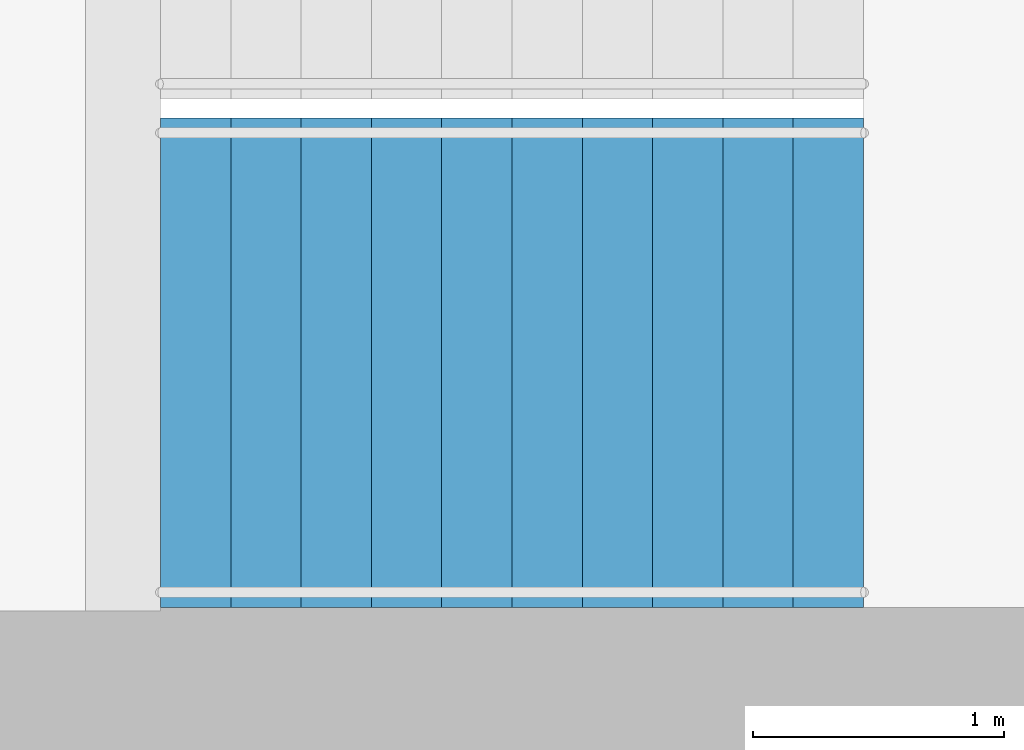
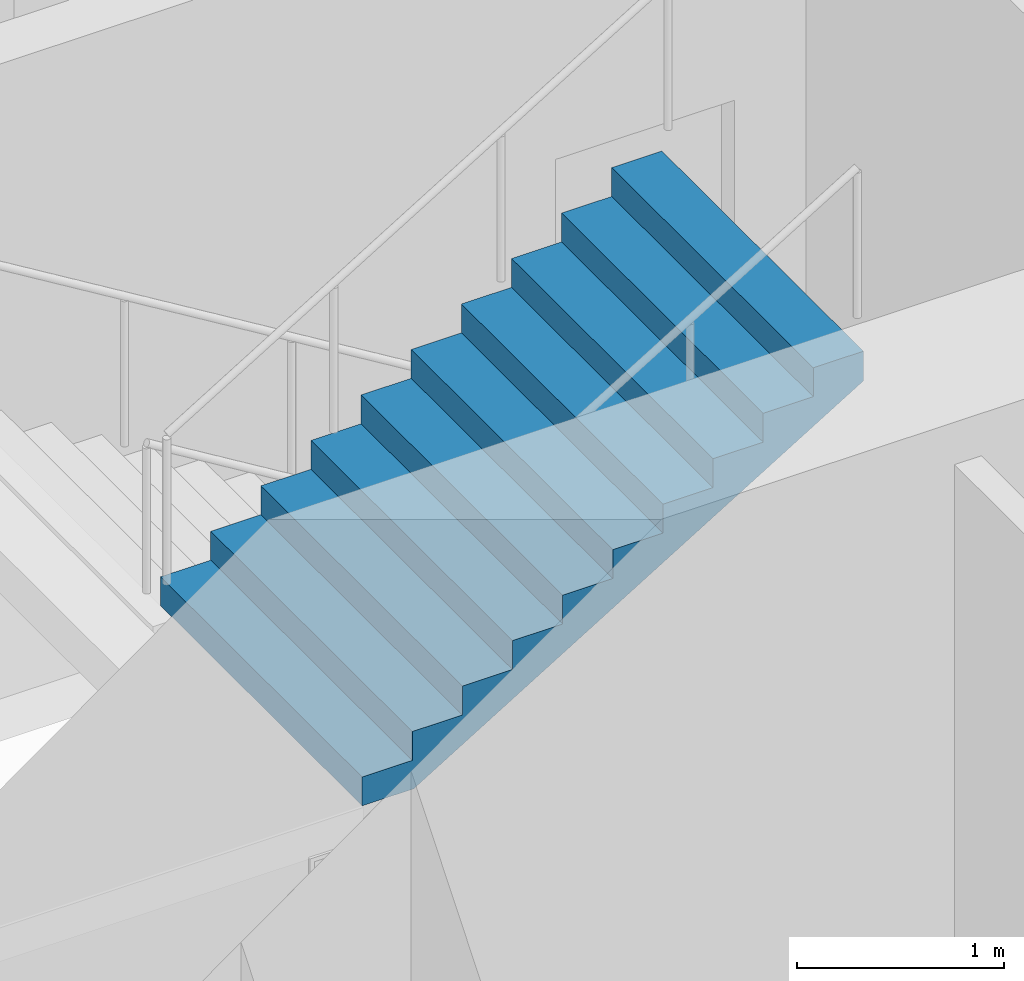
# One storey, part 19 of 21: 1 stair flight, 1 element without a shape of its own.
"""IFC4 building model written with IfcOpenShell, lengths in metres."""

from ifc_helpers import new_model, si_unit, direction, frame, origin, place, context, subcontext, project, spatial, triangles, material, type_object, element, aggregate, save


model = new_model("IFC4")

# Units and contexts
model_context = context("Model", 3, precision=1e-05, world=origin(), true_north=direction((0.0, 1.0)))
body_context = subcontext(model_context, "Body", "Model", "MODEL_VIEW")
ifc_project = project(units=[si_unit("LENGTHUNIT", "METRE"), si_unit("AREAUNIT", "SQUARE_METRE"), si_unit("VOLUMEUNIT", "CUBIC_METRE"), si_unit("PLANEANGLEUNIT", "RADIAN"), si_unit("MASSUNIT", "GRAM", prefix="KILO")], contexts=[model_context])

# Site, building, storey
site_placement = place(None, origin())
site = spatial("IfcSite", under=ifc_project, at=site_placement, CompositionType="ELEMENT")
building_placement = place(site_placement, origin())
building = spatial("IfcBuilding", under=site, at=building_placement, Name="Orbita Commons", CompositionType="ELEMENT")
storey_placement = place(building_placement, frame((0.0, 0.0, 125.64990234375)))
storey = spatial("IfcBuildingStorey", under=building, at=storey_placement, Name="L31", CompositionType="ELEMENT", Elevation=125.64990234375)

# Stair, stair flight
ifc_material_1 = material(Name="Precast concrete C40/50", Category="concrete")
stair_type = type_object("IfcStairType", Name="Exit stair S2 2 flights 11 risers 170", PredefinedType="HALF_TURN_STAIR", material=ifc_material_1)
stair_placement = place(storey_placement, origin())
stair = element("IfcStair", 1, at=stair_placement, inside=storey, type_object=stair_type, Name="Exit stair S2 L31", PredefinedType="HALF_TURN_STAIR")
ifc_material_2 = material(Name="Precast concrete C40/50", Category="concrete")
stair_flight_type = type_object("IfcStairFlightType", Name="Stair flight 11 risers 170 x 280", PredefinedType="STRAIGHT", material=ifc_material_2)
stair_flight_placement = place(storey_placement, frame((60.75, 27.25, 1.875), z_axis=(0.0, 0.0, 1.0), x_axis=(1.0, 0.0, 0.0)))
stair_flight = element("IfcStairFlight", 2, at=stair_flight_placement, type_object=stair_flight_type, Name="S2 flight 2", NumberOfRisers=11, NumberOfTreads=10, PredefinedType="STRAIGHT", RiserHeight=0.170454545, TreadLength=0.28, context=body_context, shape_type="Tessellation", body=[
    triangles([(0.0, 0.974976, 0.0), (0.0, 0.974976, 0.021307), (0.0, 0.81248, 0.021307), (0.0, 0.81248, 0.0), (0.0, 0.649984, 0.021307), (0.0, 0.649984, 0.0), (0.0, 0.487488, 0.021307), (0.0, 0.487488, 0.0), (0.0, 0.324992, 0.021307), (0.0, 0.324992, 0.0), (0.0, 0.162496, 0.021307), (0.0, 0.162496, 0.0), (0.0, 0.0, 0.021307), (0.0, 0.0, 0.0), (0.0, -0.162496, 0.021307), (0.0, -0.162496, 0.0), (0.0, -0.324992, 0.021307), (0.0, -0.324992, 0.0), (0.0, -0.487488, 0.021307), (0.0, -0.487488, 0.0), (0.0, -0.649984, 0.021307), (0.0, -0.649984, 0.0), (0.0, -0.81248, 0.021307), (0.0, -0.81248, 0.0), (0.0, -0.974976, 0.021307), (0.0, -0.974976, 0.0), (0.0, 0.974976, 0.042614), (0.0, 0.81248, 0.042614), (0.0, 0.649984, 0.042614), (0.0, 0.487488, 0.042614), (0.0, 0.324992, 0.042614), (0.0, 0.162496, 0.042614), (0.0, 0.0, 0.042614), (0.0, -0.162496, 0.042614), (0.0, -0.324992, 0.042614), (0.0, -0.487488, 0.042614), (0.0, -0.649984, 0.042614), (0.0, -0.81248, 0.042614), (0.0, -0.974976, 0.042614), (0.0, 0.974976, 0.06392), (0.0, 0.81248, 0.06392), (0.0, 0.649984, 0.06392), (0.0, 0.487488, 0.06392), (0.0, 0.324992, 0.06392), (0.0, 0.162496, 0.06392), (0.0, 0.0, 0.06392), (0.0, -0.162496, 0.06392), (0.0, -0.324992, 0.06392), (0.0, -0.487488, 0.06392), (0.0, -0.649984, 0.06392), (0.0, -0.81248, 0.06392), (0.0, -0.974976, 0.06392), (0.0, 0.974976, 0.085227), (0.0, 0.81248, 0.085227), (0.0, 0.649984, 0.085227), (0.0, 0.487488, 0.085227), (0.0, 0.324992, 0.085227), (0.0, 0.162496, 0.085227), (0.0, 0.0, 0.085227), (0.0, -0.162496, 0.085227), (0.0, -0.324992, 0.085227), (0.0, -0.487488, 0.085227), (0.0, -0.649984, 0.085227), (0.0, -0.81248, 0.085227), (0.0, -0.974976, 0.085227), (0.0, 0.974976, 0.106534), (0.0, 0.81248, 0.106534), (0.0, 0.649984, 0.106534), (0.0, 0.487488, 0.106534), (0.0, 0.324992, 0.106534), (0.0, 0.162496, 0.106534), (0.0, 0.0, 0.106534), (0.0, -0.162496, 0.106534), (0.0, -0.324992, 0.106534), (0.0, -0.487488, 0.106534), (0.0, -0.649984, 0.106534), (0.0, -0.81248, 0.106534), (0.0, -0.974976, 0.106534), (0.0, 0.974976, 0.127841), (0.0, 0.81248, 0.127841), (0.0, 0.649984, 0.127841), (0.0, 0.487488, 0.127841), (0.0, 0.324992, 0.127841), (0.0, 0.162496, 0.127841), (0.0, 0.0, 0.127841), (0.0, -0.162496, 0.127841), (0.0, -0.324992, 0.127841), (0.0, -0.487488, 0.127841), (0.0, -0.649984, 0.127841), (0.0, -0.81248, 0.127841), (0.0, -0.974976, 0.127841), (0.0, 0.974976, 0.149148), (0.0, 0.81248, 0.149148), (0.0, 0.649984, 0.149148), (0.0, 0.487488, 0.149148), (0.0, 0.324992, 0.149148), (0.0, 0.162496, 0.149148), (0.0, 0.0, 0.149148), (0.0, -0.162496, 0.149148), (0.0, -0.324992, 0.149148), (0.0, -0.487488, 0.149148), (0.0, -0.649984, 0.149148), (0.0, -0.81248, 0.149148), (0.0, -0.974976, 0.149148), (0.0, 0.974976, 0.170455), (0.0, 0.81248, 0.170455), (0.0, 0.649984, 0.170455), (0.0, 0.487488, 0.170455), (0.0, 0.324992, 0.170455), (0.0, 0.162496, 0.170455), (0.0, 0.0, 0.170455), (0.0, -0.162496, 0.170455), (0.0, -0.324992, 0.170455), (0.0, -0.487488, 0.170455), (0.0, -0.649984, 0.170455), (0.0, -0.81248, 0.170455), (0.0, -0.974976, 0.170455), (0.28, 0.974976, 0.170455), (0.28, 0.81248, 0.170455), (0.28, 0.649984, 0.170455), (0.28, 0.487488, 0.170455), (0.28, 0.324992, 0.170455), (0.28, 0.162496, 0.170455), (0.28, 0.0, 0.170455), (0.28, -0.162496, 0.170455), (0.28, -0.324992, 0.170455), (0.28, -0.487488, 0.170455), (0.28, -0.649984, 0.170455), (0.28, -0.81248, 0.170455), (0.28, -0.974976, 0.170455), (0.28, 0.974976, 0.340909), (0.28, 0.81248, 0.340909), (0.28, 0.649984, 0.340909), (0.28, 0.487488, 0.340909), (0.28, 0.324992, 0.340909), (0.28, 0.162496, 0.340909), (0.28, 0.0, 0.340909), (0.28, -0.162496, 0.340909), (0.28, -0.324992, 0.340909), (0.28, -0.487488, 0.340909), (0.28, -0.649984, 0.340909), (0.28, -0.81248, 0.340909), (0.28, -0.974976, 0.340909), (0.56, 0.974976, 0.340909), (0.56, 0.81248, 0.340909), (0.56, 0.649984, 0.340909), (0.56, 0.487488, 0.340909), (0.56, 0.324992, 0.340909), (0.56, 0.162496, 0.340909), (0.56, 0.0, 0.340909), (0.56, -0.162496, 0.340909), (0.56, -0.324992, 0.340909), (0.56, -0.487488, 0.340909), (0.56, -0.649984, 0.340909), (0.56, -0.81248, 0.340909), (0.56, -0.974976, 0.340909), (0.56, 0.974976, 0.511364), (0.56, 0.81248, 0.511364), (0.56, 0.649984, 0.511364), (0.56, 0.487488, 0.511364), (0.56, 0.324992, 0.511364), (0.56, 0.162496, 0.511364), (0.56, 0.0, 0.511364), (0.56, -0.162496, 0.511364), (0.56, -0.324992, 0.511364), (0.56, -0.487488, 0.511364), (0.56, -0.649984, 0.511364), (0.56, -0.81248, 0.511364), (0.56, -0.974976, 0.511364), (0.84, 0.974976, 0.511364), (0.84, 0.81248, 0.511364), (0.84, 0.649984, 0.511364), (0.84, 0.487488, 0.511364), (0.84, 0.324992, 0.511364), (0.84, 0.162496, 0.511364), (0.84, 0.0, 0.511364), (0.84, -0.162496, 0.511364), (0.84, -0.324992, 0.511364), (0.84, -0.487488, 0.511364), (0.84, -0.649984, 0.511364), (0.84, -0.81248, 0.511364), (0.84, -0.974976, 0.511364), (0.84, 0.974976, 0.681818), (0.84, 0.81248, 0.681818), (0.84, 0.649984, 0.681818), (0.84, 0.487488, 0.681818), (0.84, 0.324992, 0.681818), (0.84, 0.162496, 0.681818), (0.84, 0.0, 0.681818), (0.84, -0.162496, 0.681818), (0.84, -0.324992, 0.681818), (0.84, -0.487488, 0.681818), (0.84, -0.649984, 0.681818), (0.84, -0.81248, 0.681818), (0.84, -0.974976, 0.681818), (1.12, 0.974976, 0.681818), (1.12, 0.81248, 0.681818), (1.12, 0.649984, 0.681818), (1.12, 0.487488, 0.681818), (1.12, 0.324992, 0.681818), (1.12, 0.162496, 0.681818), (1.12, 0.0, 0.681818), (1.12, -0.162496, 0.681818), (1.12, -0.324992, 0.681818), (1.12, -0.487488, 0.681818), (1.12, -0.649984, 0.681818), (1.12, -0.81248, 0.681818), (1.12, -0.974976, 0.681818), (1.12, 0.974976, 0.852273), (1.12, 0.81248, 0.852273), (1.12, 0.649984, 0.852273), (1.12, 0.487488, 0.852273), (1.12, 0.324992, 0.852273), (1.12, 0.162496, 0.852273), (1.12, 0.0, 0.852273), (1.12, -0.162496, 0.852273), (1.12, -0.324992, 0.852273), (1.12, -0.487488, 0.852273), (1.12, -0.649984, 0.852273), (1.12, -0.81248, 0.852273), (1.12, -0.974976, 0.852273), (1.4, 0.974976, 0.852273), (1.4, 0.81248, 0.852273), (1.4, 0.649984, 0.852273), (1.4, 0.487488, 0.852273), (1.4, 0.324992, 0.852273), (1.4, 0.162496, 0.852273), (1.4, 0.0, 0.852273), (1.4, -0.162496, 0.852273), (1.4, -0.324992, 0.852273), (1.4, -0.487488, 0.852273), (1.4, -0.649984, 0.852273), (1.4, -0.81248, 0.852273), (1.4, -0.974976, 0.852273), (1.4, 0.974976, 1.022727), (1.4, 0.81248, 1.022727), (1.4, 0.649984, 1.022727), (1.4, 0.487488, 1.022727), (1.4, 0.324992, 1.022727), (1.4, 0.162496, 1.022727), (1.4, 0.0, 1.022727), (1.4, -0.162496, 1.022727), (1.4, -0.324992, 1.022727), (1.4, -0.487488, 1.022727), (1.4, -0.649984, 1.022727), (1.4, -0.81248, 1.022727), (1.4, -0.974976, 1.022727), (1.68, 0.974976, 1.022727), (1.68, 0.81248, 1.022727), (1.68, 0.649984, 1.022727), (1.68, 0.487488, 1.022727), (1.68, 0.324992, 1.022727), (1.68, 0.162496, 1.022727), (1.68, 0.0, 1.022727), (1.68, -0.162496, 1.022727), (1.68, -0.324992, 1.022727), (1.68, -0.487488, 1.022727), (1.68, -0.649984, 1.022727), (1.68, -0.81248, 1.022727), (1.68, -0.974976, 1.022727), (1.68, 0.974976, 1.193182), (1.68, 0.81248, 1.193182), (1.68, 0.649984, 1.193182), (1.68, 0.487488, 1.193182), (1.68, 0.324992, 1.193182), (1.68, 0.162496, 1.193182), (1.68, 0.0, 1.193182), (1.68, -0.162496, 1.193182), (1.68, -0.324992, 1.193182), (1.68, -0.487488, 1.193182), (1.68, -0.649984, 1.193182), (1.68, -0.81248, 1.193182), (1.68, -0.974976, 1.193182), (1.96, 0.974976, 1.193182), (1.96, 0.81248, 1.193182), (1.96, 0.649984, 1.193182), (1.96, 0.487488, 1.193182), (1.96, 0.324992, 1.193182), (1.96, 0.162496, 1.193182), (1.96, 0.0, 1.193182), (1.96, -0.162496, 1.193182), (1.96, -0.324992, 1.193182), (1.96, -0.487488, 1.193182), (1.96, -0.649984, 1.193182), (1.96, -0.81248, 1.193182), (1.96, -0.974976, 1.193182), (1.96, 0.974976, 1.363636), (1.96, 0.81248, 1.363636), (1.96, 0.649984, 1.363636), (1.96, 0.487488, 1.363636), (1.96, 0.324992, 1.363636), (1.96, 0.162496, 1.363636), (1.96, 0.0, 1.363636), (1.96, -0.162496, 1.363636), (1.96, -0.324992, 1.363636), (1.96, -0.487488, 1.363636), (1.96, -0.649984, 1.363636), (1.96, -0.81248, 1.363636), (1.96, -0.974976, 1.363636), (2.24, 0.974976, 1.363636), (2.24, 0.81248, 1.363636), (2.24, 0.649984, 1.363636), (2.24, 0.487488, 1.363636), (2.24, 0.324992, 1.363636), (2.24, 0.162496, 1.363636), (2.24, 0.0, 1.363636), (2.24, -0.162496, 1.363636), (2.24, -0.324992, 1.363636), (2.24, -0.487488, 1.363636), (2.24, -0.649984, 1.363636), (2.24, -0.81248, 1.363636), (2.24, -0.974976, 1.363636), (2.24, 0.974976, 1.534091), (2.24, 0.81248, 1.534091), (2.24, 0.649984, 1.534091), (2.24, 0.487488, 1.534091), (2.24, 0.324992, 1.534091), (2.24, 0.162496, 1.534091), (2.24, 0.0, 1.534091), (2.24, -0.162496, 1.534091), (2.24, -0.324992, 1.534091), (2.24, -0.487488, 1.534091), (2.24, -0.649984, 1.534091), (2.24, -0.81248, 1.534091), (2.24, -0.974976, 1.534091), (2.52, 0.974976, 1.534091), (2.52, 0.81248, 1.534091), (2.52, 0.649984, 1.534091), (2.52, 0.487488, 1.534091), (2.52, 0.324992, 1.534091), (2.52, 0.162496, 1.534091), (2.52, 0.0, 1.534091), (2.52, -0.162496, 1.534091), (2.52, -0.324992, 1.534091), (2.52, -0.487488, 1.534091), (2.52, -0.649984, 1.534091), (2.52, -0.81248, 1.534091), (2.52, -0.974976, 1.534091), (2.52, 0.974976, 1.704545), (2.52, 0.81248, 1.704545), (2.52, 0.649984, 1.704545), (2.52, 0.487488, 1.704545), (2.52, 0.324992, 1.704545), (2.52, 0.162496, 1.704545), (2.52, 0.0, 1.704545), (2.52, -0.162496, 1.704545), (2.52, -0.324992, 1.704545), (2.52, -0.487488, 1.704545), (2.52, -0.649984, 1.704545), (2.52, -0.81248, 1.704545), (2.52, -0.974976, 1.704545), (2.8, 0.974976, 1.704545), (2.8, 0.81248, 1.704545), (2.8, 0.649984, 1.704545), (2.8, 0.487488, 1.704545), (2.8, 0.324992, 1.704545), (2.8, 0.162496, 1.704545), (2.8, 0.0, 1.704545), (2.8, -0.162496, 1.704545), (2.8, -0.324992, 1.704545), (2.8, -0.487488, 1.704545), (2.8, -0.649984, 1.704545), (2.8, -0.81248, 1.704545), (2.8, -0.974976, 1.704545), (2.8, 0.974976, 1.682609), (2.8, 0.81248, 1.682609), (2.8, 0.649984, 1.682609), (2.8, 0.487488, 1.682609), (2.8, 0.324992, 1.682609), (2.8, 0.162496, 1.682609), (2.8, 0.0, 1.682609), (2.8, -0.162496, 1.682609), (2.8, -0.324992, 1.682609), (2.8, -0.487488, 1.682609), (2.8, -0.649984, 1.682609), (2.8, -0.81248, 1.682609), (2.8, -0.974976, 1.682609), (2.8, 0.974976, 1.660672), (2.8, 0.81248, 1.660672), (2.8, 0.649984, 1.660672), (2.8, 0.487488, 1.660672), (2.8, 0.324992, 1.660672), (2.8, 0.162496, 1.660672), (2.8, 0.0, 1.660672), (2.8, -0.162496, 1.660672), (2.8, -0.324992, 1.660672), (2.8, -0.487488, 1.660672), (2.8, -0.649984, 1.660672), (2.8, -0.81248, 1.660672), (2.8, -0.974976, 1.660672), (2.8, 0.974976, 1.638735), (2.8, 0.81248, 1.638735), (2.8, 0.649984, 1.638735), (2.8, 0.487488, 1.638735), (2.8, 0.324992, 1.638735), (2.8, 0.162496, 1.638735), (2.8, 0.0, 1.638735), (2.8, -0.162496, 1.638735), (2.8, -0.324992, 1.638735), (2.8, -0.487488, 1.638735), (2.8, -0.649984, 1.638735), (2.8, -0.81248, 1.638735), (2.8, -0.974976, 1.638735), (2.8, 0.974976, 1.616798), (2.8, 0.81248, 1.616798), (2.8, 0.649984, 1.616798), (2.8, 0.487488, 1.616798), (2.8, 0.324992, 1.616798), (2.8, 0.162496, 1.616798), (2.8, 0.0, 1.616798), (2.8, -0.162496, 1.616798), (2.8, -0.324992, 1.616798), (2.8, -0.487488, 1.616798), (2.8, -0.649984, 1.616798), (2.8, -0.81248, 1.616798), (2.8, -0.974976, 1.616798), (2.8, 0.974976, 1.594861), (2.8, 0.81248, 1.594861), (2.8, 0.649984, 1.594861), (2.8, 0.487488, 1.594861), (2.8, 0.324992, 1.594861), (2.8, 0.162496, 1.594861), (2.8, 0.0, 1.594861), (2.8, -0.162496, 1.594861), (2.8, -0.324992, 1.594861), (2.8, -0.487488, 1.594861), (2.8, -0.649984, 1.594861), (2.8, -0.81248, 1.594861), (2.8, -0.974976, 1.594861), (2.8, 0.974976, 1.572925), (2.8, 0.81248, 1.572925), (2.8, 0.649984, 1.572925), (2.8, 0.487488, 1.572925), (2.8, 0.324992, 1.572925), (2.8, 0.162496, 1.572925), (2.8, 0.0, 1.572925), (2.8, -0.162496, 1.572925), (2.8, -0.324992, 1.572925), (2.8, -0.487488, 1.572925), (2.8, -0.649984, 1.572925), (2.8, -0.81248, 1.572925), (2.8, -0.974976, 1.572925), (2.8, 0.974976, 1.550988), (2.8, 0.81248, 1.550988), (2.8, 0.649984, 1.550988), (2.8, 0.487488, 1.550988), (2.8, 0.324992, 1.550988), (2.8, 0.162496, 1.550988), (2.8, 0.0, 1.550988), (2.8, -0.162496, 1.550988), (2.8, -0.324992, 1.550988), (2.8, -0.487488, 1.550988), (2.8, -0.649984, 1.550988), (2.8, -0.81248, 1.550988), (2.8, -0.974976, 1.550988), (2.8, 0.974976, 1.529051), (2.8, 0.81248, 1.529051), (2.8, 0.649984, 1.529051), (2.8, 0.487488, 1.529051), (2.8, 0.324992, 1.529051), (2.8, 0.162496, 1.529051), (2.8, 0.0, 1.529051), (2.8, -0.162496, 1.529051), (2.8, -0.324992, 1.529051), (2.8, -0.487488, 1.529051), (2.8, -0.649984, 1.529051), (2.8, -0.81248, 1.529051), (2.8, -0.974976, 1.529051), (0.288279, 0.974976, 0.0), (0.288279, 0.81248, 0.0), (0.288279, 0.649984, 0.0), (0.288279, 0.487488, 0.0), (0.288279, 0.324992, 0.0), (0.288279, 0.162496, 0.0), (0.288279, 0.0, 0.0), (0.288279, -0.162496, 0.0), (0.288279, -0.324992, 0.0), (0.288279, -0.487488, 0.0), (0.288279, -0.649984, 0.0), (0.288279, -0.81248, 0.0), (0.288279, -0.974976, 0.0)], [[3, 2, 1], [4, 3, 1], [5, 3, 4], [6, 5, 4], [7, 5, 6], [8, 7, 6], [9, 7, 8], [10, 9, 8], [11, 9, 10], [12, 11, 10], [13, 11, 12], [14, 13, 12], [15, 13, 14], [16, 15, 14], [17, 15, 16], [18, 17, 16], [19, 17, 18], [20, 19, 18], [21, 19, 20], [22, 21, 20], [23, 21, 22], [24, 23, 22], [25, 23, 24], [26, 25, 24], [28, 27, 2], [3, 28, 2], [29, 28, 3], [5, 29, 3], [30, 29, 5], [7, 30, 5], [31, 30, 7], [9, 31, 7], [32, 31, 9], [11, 32, 9], [33, 32, 11], [13, 33, 11], [34, 33, 13], [15, 34, 13], [35, 34, 15], [17, 35, 15], [36, 35, 17], [19, 36, 17], [37, 36, 19], [21, 37, 19], [38, 37, 21], [23, 38, 21], [39, 38, 23], [25, 39, 23], [41, 40, 27], [28, 41, 27], [42, 41, 28], [29, 42, 28], [43, 42, 29], [30, 43, 29], [44, 43, 30], [31, 44, 30], [45, 44, 31], [32, 45, 31], [46, 45, 32], [33, 46, 32], [47, 46, 33], [34, 47, 33], [48, 47, 34], [35, 48, 34], [49, 48, 35], [36, 49, 35], [50, 49, 36], [37, 50, 36], [51, 50, 37], [38, 51, 37], [52, 51, 38], [39, 52, 38], [54, 53, 40], [41, 54, 40], [55, 54, 41], [42, 55, 41], [56, 55, 42], [43, 56, 42], [57, 56, 43], [44, 57, 43], [58, 57, 44], [45, 58, 44], [59, 58, 45], [46, 59, 45], [60, 59, 46], [47, 60, 46], [61, 60, 47], [48, 61, 47], [62, 61, 48], [49, 62, 48], [63, 62, 49], [50, 63, 49], [64, 63, 50], [51, 64, 50], [65, 64, 51], [52, 65, 51], [67, 66, 53], [54, 67, 53], [68, 67, 54], [55, 68, 54], [69, 68, 55], [56, 69, 55], [70, 69, 56], [57, 70, 56], [71, 70, 57], [58, 71, 57], [72, 71, 58], [59, 72, 58], [73, 72, 59], [60, 73, 59], [74, 73, 60], [61, 74, 60], [75, 74, 61], [62, 75, 61], [76, 75, 62], [63, 76, 62], [77, 76, 63], [64, 77, 63], [78, 77, 64], [65, 78, 64], [80, 79, 66], [67, 80, 66], [81, 80, 67], [68, 81, 67], [82, 81, 68], [69, 82, 68], [83, 82, 69], [70, 83, 69], [84, 83, 70], [71, 84, 70], [85, 84, 71], [72, 85, 71], [86, 85, 72], [73, 86, 72], [87, 86, 73], [74, 87, 73], [88, 87, 74], [75, 88, 74], [89, 88, 75], [76, 89, 75], [90, 89, 76], [77, 90, 76], [91, 90, 77], [78, 91, 77], [93, 92, 79], [80, 93, 79], [94, 93, 80], [81, 94, 80], [95, 94, 81], [82, 95, 81], [96, 95, 82], [83, 96, 82], [97, 96, 83], [84, 97, 83], [98, 97, 84], [85, 98, 84], [99, 98, 85], [86, 99, 85], [100, 99, 86], [87, 100, 86], [101, 100, 87], [88, 101, 87], [102, 101, 88], [89, 102, 88], [103, 102, 89], [90, 103, 89], [104, 103, 90], [91, 104, 90], [106, 105, 92], [93, 106, 92], [107, 106, 93], [94, 107, 93], [108, 107, 94], [95, 108, 94], [109, 108, 95], [96, 109, 95], [110, 109, 96], [97, 110, 96], [111, 110, 97], [98, 111, 97], [112, 111, 98], [99, 112, 98], [113, 112, 99], [100, 113, 99], [114, 113, 100], [101, 114, 100], [115, 114, 101], [102, 115, 101], [116, 115, 102], [103, 116, 102], [117, 116, 103], [104, 117, 103], [119, 118, 105], [106, 119, 105], [120, 119, 106], [107, 120, 106], [121, 120, 107], [108, 121, 107], [122, 121, 108], [109, 122, 108], [123, 122, 109], [110, 123, 109], [124, 123, 110], [111, 124, 110], [125, 124, 111], [112, 125, 111], [126, 125, 112], [113, 126, 112], [127, 126, 113], [114, 127, 113], [128, 127, 114], [115, 128, 114], [129, 128, 115], [116, 129, 115], [130, 129, 116], [117, 130, 116], [132, 131, 118], [119, 132, 118], [133, 132, 119], [120, 133, 119], [134, 133, 120], [121, 134, 120], [135, 134, 121], [122, 135, 121], [136, 135, 122], [123, 136, 122], [137, 136, 123], [124, 137, 123], [138, 137, 124], [125, 138, 124], [139, 138, 125], [126, 139, 125], [140, 139, 126], [127, 140, 126], [141, 140, 127], [128, 141, 127], [142, 141, 128], [129, 142, 128], [143, 142, 129], [130, 143, 129], [145, 144, 131], [132, 145, 131], [146, 145, 132], [133, 146, 132], [147, 146, 133], [134, 147, 133], [148, 147, 134], [135, 148, 134], [149, 148, 135], [136, 149, 135], [150, 149, 136], [137, 150, 136], [151, 150, 137], [138, 151, 137], [152, 151, 138], [139, 152, 138], [153, 152, 139], [140, 153, 139], [154, 153, 140], [141, 154, 140], [155, 154, 141], [142, 155, 141], [156, 155, 142], [143, 156, 142], [158, 157, 144], [145, 158, 144], [159, 158, 145], [146, 159, 145], [160, 159, 146], [147, 160, 146], [161, 160, 147], [148, 161, 147], [162, 161, 148], [149, 162, 148], [163, 162, 149], [150, 163, 149], [164, 163, 150], [151, 164, 150], [165, 164, 151], [152, 165, 151], [166, 165, 152], [153, 166, 152], [167, 166, 153], [154, 167, 153], [168, 167, 154], [155, 168, 154], [169, 168, 155], [156, 169, 155], [171, 170, 157], [158, 171, 157], [172, 171, 158], [159, 172, 158], [173, 172, 159], [160, 173, 159], [174, 173, 160], [161, 174, 160], [175, 174, 161], [162, 175, 161], [176, 175, 162], [163, 176, 162], [177, 176, 163], [164, 177, 163], [178, 177, 164], [165, 178, 164], [179, 178, 165], [166, 179, 165], [180, 179, 166], [167, 180, 166], [181, 180, 167], [168, 181, 167], [182, 181, 168], [169, 182, 168], [184, 183, 170], [171, 184, 170], [185, 184, 171], [172, 185, 171], [186, 185, 172], [173, 186, 172], [187, 186, 173], [174, 187, 173], [188, 187, 174], [175, 188, 174], [189, 188, 175], [176, 189, 175], [190, 189, 176], [177, 190, 176], [191, 190, 177], [178, 191, 177], [192, 191, 178], [179, 192, 178], [193, 192, 179], [180, 193, 179], [194, 193, 180], [181, 194, 180], [195, 194, 181], [182, 195, 181], [197, 196, 183], [184, 197, 183], [198, 197, 184], [185, 198, 184], [199, 198, 185], [186, 199, 185], [200, 199, 186], [187, 200, 186], [201, 200, 187], [188, 201, 187], [202, 201, 188], [189, 202, 188], [203, 202, 189], [190, 203, 189], [204, 203, 190], [191, 204, 190], [205, 204, 191], [192, 205, 191], [206, 205, 192], [193, 206, 192], [207, 206, 193], [194, 207, 193], [208, 207, 194], [195, 208, 194], [210, 209, 196], [197, 210, 196], [211, 210, 197], [198, 211, 197], [212, 211, 198], [199, 212, 198], [213, 212, 199], [200, 213, 199], [214, 213, 200], [201, 214, 200], [215, 214, 201], [202, 215, 201], [216, 215, 202], [203, 216, 202], [217, 216, 203], [204, 217, 203], [218, 217, 204], [205, 218, 204], [219, 218, 205], [206, 219, 205], [220, 219, 206], [207, 220, 206], [221, 220, 207], [208, 221, 207], [223, 222, 209], [210, 223, 209], [224, 223, 210], [211, 224, 210], [225, 224, 211], [212, 225, 211], [226, 225, 212], [213, 226, 212], [227, 226, 213], [214, 227, 213], [228, 227, 214], [215, 228, 214], [229, 228, 215], [216, 229, 215], [230, 229, 216], [217, 230, 216], [231, 230, 217], [218, 231, 217], [232, 231, 218], [219, 232, 218], [233, 232, 219], [220, 233, 219], [234, 233, 220], [221, 234, 220], [236, 235, 222], [223, 236, 222], [237, 236, 223], [224, 237, 223], [238, 237, 224], [225, 238, 224], [239, 238, 225], [226, 239, 225], [240, 239, 226], [227, 240, 226], [241, 240, 227], [228, 241, 227], [242, 241, 228], [229, 242, 228], [243, 242, 229], [230, 243, 229], [244, 243, 230], [231, 244, 230], [245, 244, 231], [232, 245, 231], [246, 245, 232], [233, 246, 232], [247, 246, 233], [234, 247, 233], [249, 248, 235], [236, 249, 235], [250, 249, 236], [237, 250, 236], [251, 250, 237], [238, 251, 237], [252, 251, 238], [239, 252, 238], [253, 252, 239], [240, 253, 239], [254, 253, 240], [241, 254, 240], [255, 254, 241], [242, 255, 241], [256, 255, 242], [243, 256, 242], [257, 256, 243], [244, 257, 243], [258, 257, 244], [245, 258, 244], [259, 258, 245], [246, 259, 245], [260, 259, 246], [247, 260, 246], [262, 261, 248], [249, 262, 248], [263, 262, 249], [250, 263, 249], [264, 263, 250], [251, 264, 250], [265, 264, 251], [252, 265, 251], [266, 265, 252], [253, 266, 252], [267, 266, 253], [254, 267, 253], [268, 267, 254], [255, 268, 254], [269, 268, 255], [256, 269, 255], [270, 269, 256], [257, 270, 256], [271, 270, 257], [258, 271, 257], [272, 271, 258], [259, 272, 258], [273, 272, 259], [260, 273, 259], [275, 274, 261], [262, 275, 261], [276, 275, 262], [263, 276, 262], [277, 276, 263], [264, 277, 263], [278, 277, 264], [265, 278, 264], [279, 278, 265], [266, 279, 265], [280, 279, 266], [267, 280, 266], [281, 280, 267], [268, 281, 267], [282, 281, 268], [269, 282, 268], [283, 282, 269], [270, 283, 269], [284, 283, 270], [271, 284, 270], [285, 284, 271], [272, 285, 271], [286, 285, 272], [273, 286, 272], [288, 287, 274], [275, 288, 274], [289, 288, 275], [276, 289, 275], [290, 289, 276], [277, 290, 276], [291, 290, 277], [278, 291, 277], [292, 291, 278], [279, 292, 278], [293, 292, 279], [280, 293, 279], [294, 293, 280], [281, 294, 280], [295, 294, 281], [282, 295, 281], [296, 295, 282], [283, 296, 282], [297, 296, 283], [284, 297, 283], [298, 297, 284], [285, 298, 284], [299, 298, 285], [286, 299, 285], [301, 300, 287], [288, 301, 287], [302, 301, 288], [289, 302, 288], [303, 302, 289], [290, 303, 289], [304, 303, 290], [291, 304, 290], [305, 304, 291], [292, 305, 291], [306, 305, 292], [293, 306, 292], [307, 306, 293], [294, 307, 293], [308, 307, 294], [295, 308, 294], [309, 308, 295], [296, 309, 295], [310, 309, 296], [297, 310, 296], [311, 310, 297], [298, 311, 297], [312, 311, 298], [299, 312, 298], [314, 313, 300], [301, 314, 300], [315, 314, 301], [302, 315, 301], [316, 315, 302], [303, 316, 302], [317, 316, 303], [304, 317, 303], [318, 317, 304], [305, 318, 304], [319, 318, 305], [306, 319, 305], [320, 319, 306], [307, 320, 306], [321, 320, 307], [308, 321, 307], [322, 321, 308], [309, 322, 308], [323, 322, 309], [310, 323, 309], [324, 323, 310], [311, 324, 310], [325, 324, 311], [312, 325, 311], [327, 326, 313], [314, 327, 313], [328, 327, 314], [315, 328, 314], [329, 328, 315], [316, 329, 315], [330, 329, 316], [317, 330, 316], [331, 330, 317], [318, 331, 317], [332, 331, 318], [319, 332, 318], [333, 332, 319], [320, 333, 319], [334, 333, 320], [321, 334, 320], [335, 334, 321], [322, 335, 321], [336, 335, 322], [323, 336, 322], [337, 336, 323], [324, 337, 323], [338, 337, 324], [325, 338, 324], [340, 339, 326], [327, 340, 326], [341, 340, 327], [328, 341, 327], [342, 341, 328], [329, 342, 328], [343, 342, 329], [330, 343, 329], [344, 343, 330], [331, 344, 330], [345, 344, 331], [332, 345, 331], [346, 345, 332], [333, 346, 332], [347, 346, 333], [334, 347, 333], [348, 347, 334], [335, 348, 334], [349, 348, 335], [336, 349, 335], [350, 349, 336], [337, 350, 336], [351, 350, 337], [338, 351, 337], [353, 352, 339], [340, 353, 339], [354, 353, 340], [341, 354, 340], [355, 354, 341], [342, 355, 341], [356, 355, 342], [343, 356, 342], [357, 356, 343], [344, 357, 343], [358, 357, 344], [345, 358, 344], [359, 358, 345], [346, 359, 345], [360, 359, 346], [347, 360, 346], [361, 360, 347], [348, 361, 347], [362, 361, 348], [349, 362, 348], [363, 362, 349], [350, 363, 349], [364, 363, 350], [351, 364, 350], [366, 365, 352], [353, 366, 352], [367, 366, 353], [354, 367, 353], [368, 367, 354], [355, 368, 354], [369, 368, 355], [356, 369, 355], [370, 369, 356], [357, 370, 356], [371, 370, 357], [358, 371, 357], [372, 371, 358], [359, 372, 358], [373, 372, 359], [360, 373, 359], [374, 373, 360], [361, 374, 360], [375, 374, 361], [362, 375, 361], [376, 375, 362], [363, 376, 362], [377, 376, 363], [364, 377, 363], [379, 378, 365], [366, 379, 365], [380, 379, 366], [367, 380, 366], [381, 380, 367], [368, 381, 367], [382, 381, 368], [369, 382, 368], [383, 382, 369], [370, 383, 369], [384, 383, 370], [371, 384, 370], [385, 384, 371], [372, 385, 371], [386, 385, 372], [373, 386, 372], [387, 386, 373], [374, 387, 373], [388, 387, 374], [375, 388, 374], [389, 388, 375], [376, 389, 375], [390, 389, 376], [377, 390, 376], [392, 391, 378], [379, 392, 378], [393, 392, 379], [380, 393, 379], [394, 393, 380], [381, 394, 380], [395, 394, 381], [382, 395, 381], [396, 395, 382], [383, 396, 382], [397, 396, 383], [384, 397, 383], [398, 397, 384], [385, 398, 384], [399, 398, 385], [386, 399, 385], [400, 399, 386], [387, 400, 386], [401, 400, 387], [388, 401, 387], [402, 401, 388], [389, 402, 388], [403, 402, 389], [390, 403, 389], [405, 404, 391], [392, 405, 391], [406, 405, 392], [393, 406, 392], [407, 406, 393], [394, 407, 393], [408, 407, 394], [395, 408, 394], [409, 408, 395], [396, 409, 395], [410, 409, 396], [397, 410, 396], [411, 410, 397], [398, 411, 397], [412, 411, 398], [399, 412, 398], [413, 412, 399], [400, 413, 399], [414, 413, 400], [401, 414, 400], [415, 414, 401], [402, 415, 401], [416, 415, 402], [403, 416, 402], [418, 417, 404], [405, 418, 404], [419, 418, 405], [406, 419, 405], [420, 419, 406], [407, 420, 406], [421, 420, 407], [408, 421, 407], [422, 421, 408], [409, 422, 408], [423, 422, 409], [410, 423, 409], [424, 423, 410], [411, 424, 410], [425, 424, 411], [412, 425, 411], [426, 425, 412], [413, 426, 412], [427, 426, 413], [414, 427, 413], [428, 427, 414], [415, 428, 414], [429, 428, 415], [416, 429, 415], [431, 430, 417], [418, 431, 417], [432, 431, 418], [419, 432, 418], [433, 432, 419], [420, 433, 419], [434, 433, 420], [421, 434, 420], [435, 434, 421], [422, 435, 421], [436, 435, 422], [423, 436, 422], [437, 436, 423], [424, 437, 423], [438, 437, 424], [425, 438, 424], [439, 438, 425], [426, 439, 425], [440, 439, 426], [427, 440, 426], [441, 440, 427], [428, 441, 427], [442, 441, 428], [429, 442, 428], [444, 443, 430], [431, 444, 430], [445, 444, 431], [432, 445, 431], [446, 445, 432], [433, 446, 432], [447, 446, 433], [434, 447, 433], [448, 447, 434], [435, 448, 434], [449, 448, 435], [436, 449, 435], [450, 449, 436], [437, 450, 436], [451, 450, 437], [438, 451, 437], [452, 451, 438], [439, 452, 438], [453, 452, 439], [440, 453, 439], [454, 453, 440], [441, 454, 440], [455, 454, 441], [442, 455, 441], [457, 456, 443], [444, 457, 443], [458, 457, 444], [445, 458, 444], [459, 458, 445], [446, 459, 445], [460, 459, 446], [447, 460, 446], [461, 460, 447], [448, 461, 447], [462, 461, 448], [449, 462, 448], [463, 462, 449], [450, 463, 449], [464, 463, 450], [451, 464, 450], [465, 464, 451], [452, 465, 451], [466, 465, 452], [453, 466, 452], [467, 466, 453], [454, 467, 453], [468, 467, 454], [455, 468, 454], [470, 469, 456], [457, 470, 456], [471, 470, 457], [458, 471, 457], [472, 471, 458], [459, 472, 458], [473, 472, 459], [460, 473, 459], [474, 473, 460], [461, 474, 460], [475, 474, 461], [462, 475, 461], [476, 475, 462], [463, 476, 462], [477, 476, 463], [464, 477, 463], [478, 477, 464], [465, 478, 464], [479, 478, 465], [466, 479, 465], [480, 479, 466], [467, 480, 466], [481, 480, 467], [468, 481, 467], [4, 1, 469], [470, 4, 469], [6, 4, 470], [471, 6, 470], [8, 6, 471], [472, 8, 471], [10, 8, 472], [473, 10, 472], [12, 10, 473], [474, 12, 473], [14, 12, 474], [475, 14, 474], [16, 14, 475], [476, 16, 475], [18, 16, 476], [477, 18, 476], [20, 18, 477], [478, 20, 477], [22, 20, 478], [479, 22, 478], [24, 22, 479], [480, 24, 479], [26, 24, 480], [481, 26, 480], [456, 469, 1], [26, 481, 468], [443, 456, 1], [26, 468, 455], [430, 443, 1], [26, 455, 442], [417, 430, 1], [26, 442, 429], [404, 417, 1], [26, 429, 416], [391, 404, 1], [26, 416, 403], [378, 391, 1], [26, 403, 390], [365, 378, 1], [26, 390, 377], [339, 352, 365], [377, 364, 351], [326, 339, 365], [377, 351, 338], [300, 313, 326], [338, 325, 312], [300, 326, 365], [377, 338, 312], [274, 287, 300], [312, 299, 286], [274, 300, 365], [377, 312, 286], [248, 261, 274], [286, 273, 260], [248, 274, 365], [377, 286, 260], [222, 235, 248], [260, 247, 234], [222, 248, 365], [377, 260, 234], [196, 209, 222], [234, 221, 208], [196, 222, 365], [377, 234, 208], [170, 183, 196], [208, 195, 182], [170, 196, 365], [377, 208, 182], [144, 157, 170], [182, 169, 156], [144, 170, 365], [377, 182, 156], [118, 131, 144], [156, 143, 130], [118, 144, 365], [377, 156, 130], [118, 365, 1], [26, 377, 130], [92, 105, 118], [130, 117, 104], [79, 92, 118], [130, 104, 91], [66, 79, 118], [130, 91, 78], [53, 66, 118], [130, 78, 65], [40, 53, 118], [130, 65, 52], [27, 40, 118], [130, 52, 39], [2, 27, 118], [130, 39, 25], [1, 2, 118], [130, 25, 26]], closed=True),
])
aggregate(stair, [stair_flight])

save(model, "model.ifc")
